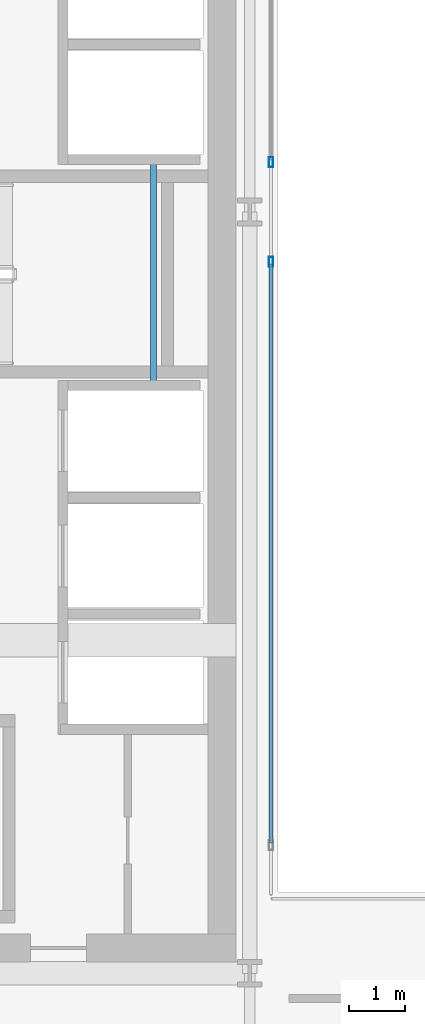
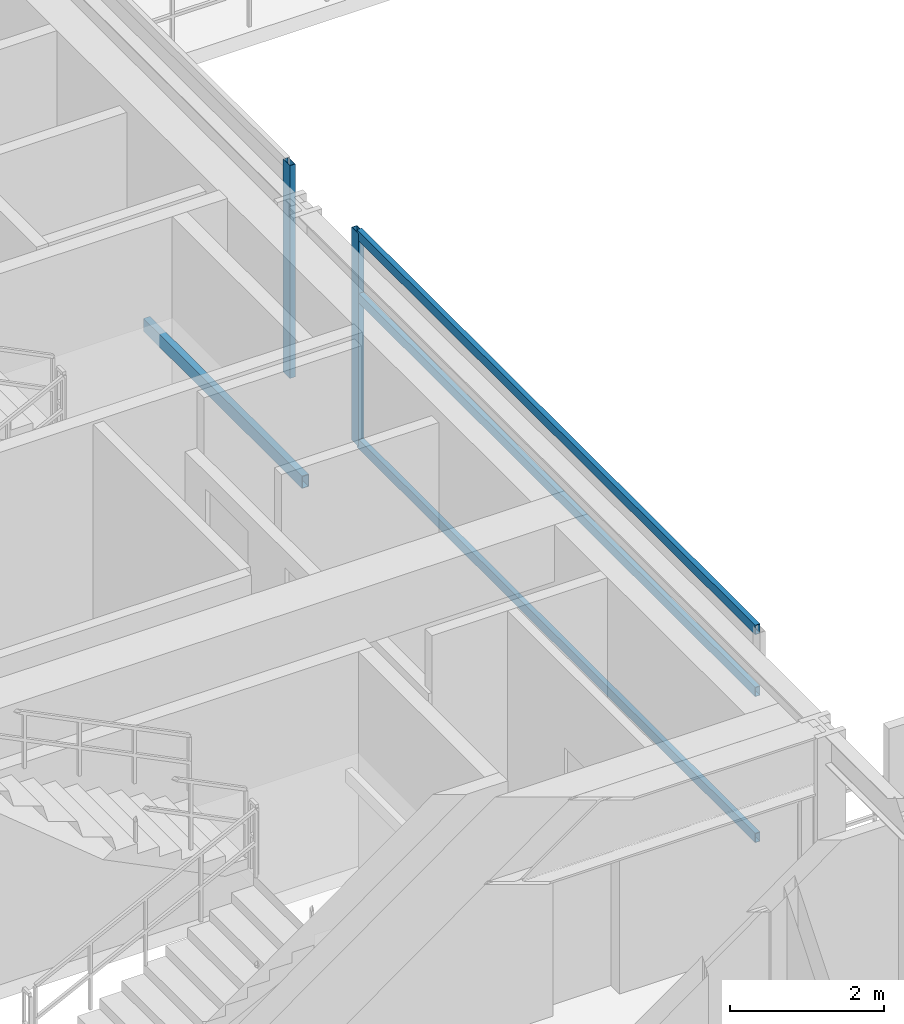
# One storey, part 9 of 38: 5 members, 1 beam, 2 elements without a shape of their own.
"""IFC4 building model written with IfcOpenShell, lengths in metres."""

from ifc_helpers import new_model, si_unit, direction, frame, origin, origin_2d, place, context, subcontext, project, spatial, hollow_rectangle, extrude, source, transform, mapped, material, layer, layer_set, material_profile, profile_set, type_object, element, aggregate, save


model = new_model("IFC4")

# Units and contexts
model_context = context("Model", 3, precision=1e-05, world=origin(), true_north=direction((0.0, 1.0)))
body_context = subcontext(model_context, "Body", "Model", "MODEL_VIEW")
ifc_project = project(units=[si_unit("LENGTHUNIT", "METRE"), si_unit("AREAUNIT", "SQUARE_METRE"), si_unit("VOLUMEUNIT", "CUBIC_METRE"), si_unit("PLANEANGLEUNIT", "RADIAN"), si_unit("MASSUNIT", "GRAM", prefix="KILO")], contexts=[model_context])

# Site, building, storey
site_placement = place(None, origin())
site = spatial("IfcSite", under=ifc_project, at=site_placement, CompositionType="ELEMENT")
building_placement = place(site_placement, origin())
building = spatial("IfcBuilding", under=site, at=building_placement, Name="Ocotamira Hotel", CompositionType="ELEMENT")
storey_placement = place(building_placement, frame((0.0, 0.0, 170.39990234375)))
storey = spatial("IfcBuildingStorey", under=building, at=storey_placement, Name="L42", CompositionType="ELEMENT", Elevation=170.39990234375)

# Beam
ifc_material_1 = material(Name="Steel ASTM A500 Grade C", Category="steel")
ifc_material_profile_1 = material_profile(ifc_material_1, hollow_rectangle(XDim=0.10009765625, YDim=0.199951171875, WallThickness=0.008056640625, at=origin_2d()), Name="HSS200X100X8")
ifc_profile_set_1 = profile_set([ifc_material_profile_1], Name="Steel ASTM A500 Grade C")
beam_type = type_object("IfcBeamType", Name="BM-STLDG-HSS200", PredefinedType="BEAM", material=ifc_profile_set_1)
shared_shape_1 = source(origin(), body_context, "Body", "SweptSolid", [
    extrude(hollow_rectangle(XDim=0.10009765625, YDim=0.199951171875, WallThickness=0.008056640625, at=origin_2d()), origin(), (0.0, 0.0, 1.0), 4.1201171875),
])
beam_placement = place(storey_placement, frame((21.780029296875, 24.97998046875, 1.5), z_axis=(0.0, 1.0, 0.0), x_axis=(-1.0, 0.0, 0.0)))
element("IfcBeam", 1, at=beam_placement, inside=storey, type_object=beam_type, Name="L42 Stair ST-3 Landing Bearer 1", PredefinedType="BEAM", context=body_context, shape_type="MappedRepresentation", body=[
    mapped(shared_shape_1, transform((0.0, 0.0, 0.0), scale=1.0)),
])

# Curtain wall, member
ifc_material_2 = material(Name="Anodised pale-metal aluminium and solar glass", Category="aluminium")
ifc_layer = layer(ifc_material_2, 0.159912109375)
ifc_layer_set = layer_set([ifc_layer], Name="Anodised pale-metal aluminium and solar glass")
curtain_wall_type = type_object("IfcCurtainWallType", Name="CW-SYS6-ATR", PredefinedType="NOTDEFINED", material=ifc_layer_set)
curtain_wall_1_placement = place(storey_placement, origin())
curtain_wall_1 = element("IfcCurtainWall", 2, at=curtain_wall_1_placement, inside=storey, type_object=curtain_wall_type, Name="L42 Curtain Wall CW-6 CW-L42-ATRW1", PredefinedType="NOTDEFINED")
ifc_material_3 = material(Name="Anodised pale-metal aluminium 6063-T6", Category="aluminium")
ifc_material_profile_2 = material_profile(ifc_material_3, hollow_rectangle(XDim=0.080078125, YDim=0.179931640625, WallThickness=0.006103515625, at=origin_2d()), Name="HSS180X80X6")
ifc_profile_set_2 = profile_set([ifc_material_profile_2], Name="Anodised pale-metal aluminium 6063-T6")
member_type_1 = type_object("IfcMemberType", Name="CWM-180X75", PredefinedType="MULLION", material=ifc_profile_set_2)
shared_shape_2 = source(origin(), body_context, "Body", "SweptSolid", [
    extrude(hollow_rectangle(XDim=0.080078125, YDim=0.179931640625, WallThickness=0.006103515625, at=origin_2d()), origin(), (0.0, 0.0, 1.0), 3.3701171875),
])
member_1_placement = place(storey_placement, frame((23.8798828125, 27.260009765625, 0.0), z_axis=(0.0, 0.0, 1.0), x_axis=(-1.0, 0.0, 0.0)))
member_1 = element("IfcMember", 3, at=member_1_placement, type_object=member_type_1, Name="CW-6 mullion 2", PredefinedType="MULLION", context=body_context, shape_type="MappedRepresentation", body=[
    mapped(shared_shape_2, transform((0.0, 0.0, 0.0), scale=1.0)),
])

curtain_wall_2_placement = place(storey_placement, origin())
curtain_wall_2 = element("IfcCurtainWall", 4, at=curtain_wall_2_placement, inside=storey, type_object=curtain_wall_type, Name="L42 Curtain Wall CW-6 CW-L42-ATRW2", PredefinedType="NOTDEFINED")
member_2_placement = place(storey_placement, frame((23.8798828125, 29.0400390625, 0.0), z_axis=(0.0, 0.0, 1.0), x_axis=(-1.0, 0.0, 0.0)))
member_2 = element("IfcMember", 5, at=member_2_placement, type_object=member_type_1, Name="CW-6 mullion 1", PredefinedType="MULLION", context=body_context, shape_type="MappedRepresentation", body=[
    mapped(shared_shape_2, transform((0.0, 0.0, 0.0), scale=1.0)),
])
aggregate(curtain_wall_2, [member_2])

# Member
ifc_material_profile_3 = material_profile(ifc_material_3, hollow_rectangle(XDim=0.074951171875, YDim=0.14990234375, WallThickness=0.006103515625, at=origin_2d()), Name="HSS150X75X6")
ifc_profile_set_3 = profile_set([ifc_material_profile_3], Name="Anodised pale-metal aluminium 6063-T6")
member_type_2 = type_object("IfcMemberType", Name="CWT-150X75", PredefinedType="USERDEFINED", material=ifc_profile_set_3)
shared_shape_3 = source(origin(), body_context, "Body", "SweptSolid", [
    extrude(hollow_rectangle(XDim=0.074951171875, YDim=0.14990234375, WallThickness=0.006103515625, at=origin_2d()), origin(), (0.0, 0.0, 1.0), 10.340087890625),
])
member_3_placement = place(storey_placement, frame((23.8798828125, 16.8798828125, 0.03759765625), z_axis=(0.0, 1.0, 0.0), x_axis=(-1.0, 0.0, 0.0)))
member_3 = element("IfcMember", 6, at=member_3_placement, type_object=member_type_2, Name="CW-6 transom 1.1", ObjectType="TRANSOM", PredefinedType="USERDEFINED", context=body_context, shape_type="MappedRepresentation", body=[
    mapped(shared_shape_3, transform((0.0, 0.0, 0.0), scale=1.0)),
])

member_4_placement = place(storey_placement, frame((23.8798828125, 16.8798828125, 2.35009765625), z_axis=(0.0, 1.0, 0.0), x_axis=(-1.0, 0.0, 0.0)))
member_4 = element("IfcMember", 7, at=member_4_placement, type_object=member_type_2, Name="CW-6 transom 1.2", ObjectType="TRANSOM", PredefinedType="USERDEFINED", context=body_context, shape_type="MappedRepresentation", body=[
    mapped(shared_shape_3, transform((0.0, 0.0, 0.0), scale=1.0)),
])

member_5_placement = place(storey_placement, frame((23.8798828125, 16.8798828125, 3.33251953125), z_axis=(0.0, 1.0, 0.0), x_axis=(-1.0, 0.0, 0.0)))
member_5 = element("IfcMember", 8, at=member_5_placement, type_object=member_type_2, Name="CW-6 transom 1.3", ObjectType="TRANSOM", PredefinedType="USERDEFINED", context=body_context, shape_type="MappedRepresentation", body=[
    mapped(shared_shape_3, transform((0.0, 0.0, 0.0), scale=1.0)),
])

aggregate(curtain_wall_1, [member_1, member_3, member_4, member_5])

save(model, "model.ifc")
